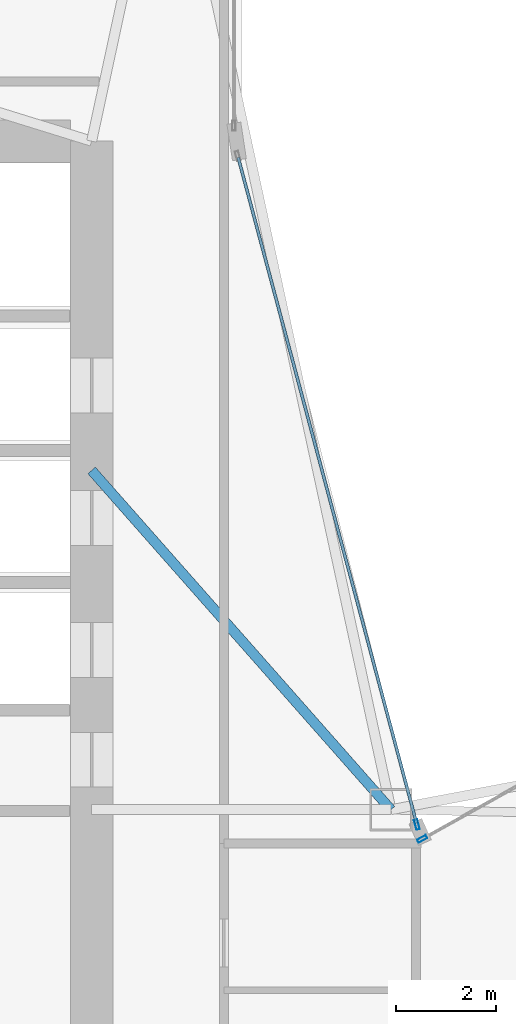
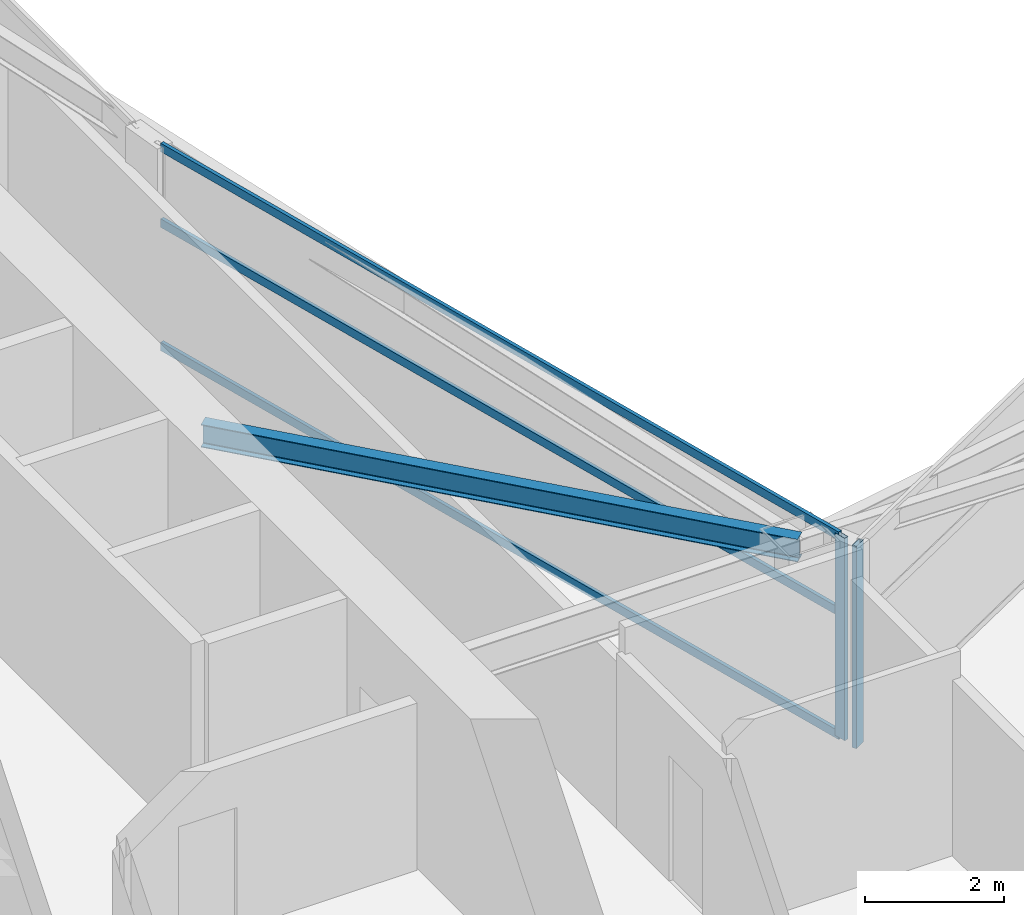
# One storey, part 10 of 29: 5 members, 1 beam, 2 elements without a shape of their own.
"""IFC4 building model written with IfcOpenShell, lengths in metres."""

from ifc_helpers import new_model, si_unit, direction, frame, origin, origin_2d, place, context, subcontext, project, spatial, hollow_rectangle, i_section, extrude, material, layer, layer_set, material_profile, profile_set, type_object, element, aggregate, save


model = new_model("IFC4")

# Units and contexts
model_context = context("Model", 3, precision=1e-05, world=origin(), true_north=direction((0.0, 1.0)))
body_context = subcontext(model_context, "Body", "Model", "MODEL_VIEW")
ifc_project = project(units=[si_unit("LENGTHUNIT", "METRE"), si_unit("AREAUNIT", "SQUARE_METRE"), si_unit("VOLUMEUNIT", "CUBIC_METRE"), si_unit("PLANEANGLEUNIT", "RADIAN"), si_unit("MASSUNIT", "GRAM", prefix="KILO")], contexts=[model_context])

# Site, building, storey
site_placement = place(None, origin())
site = spatial("IfcSite", under=ifc_project, at=site_placement, CompositionType="ELEMENT")
building_placement = place(site_placement, origin())
building = spatial("IfcBuilding", under=site, at=building_placement, Name="Calvorn Quay Hotel", CompositionType="ELEMENT")
storey_placement = place(building_placement, frame((0.0, 0.0, 175.10009765625)))
storey = spatial("IfcBuildingStorey", under=building, at=storey_placement, Name="L43", CompositionType="ELEMENT", Elevation=175.10009765625)

# Beam
ifc_material_1 = material(Name="Steel Q355B", Category="steel")
ifc_material_profile_1 = material_profile(ifc_material_1, i_section(OverallWidth=0.199951171875, OverallDepth=0.39990234375, WebThickness=0.008056640625, FlangeThickness=0.012939453125, FilletRadius=0.01611328125, at=origin_2d()), Name="HN400x200x8x13")
ifc_profile_set_1 = profile_set([ifc_material_profile_1], Name="Steel Q355B")
beam_type = type_object("IfcBeamType", Name="BM-JOIST-TYP", PredefinedType="JOIST", material=ifc_profile_set_1)
beam_placement = place(storey_placement, frame((15.0, 31.800048828125, 3.33984375), z_axis=(0.661618965899, -0.749840212287, 0.0), x_axis=(0.749840212287, 0.661618965899, 0.0)))
element("IfcBeam", 1, at=beam_placement, inside=storey, type_object=beam_type, Name="Beam BJ-L43-C1", PredefinedType="JOIST", context=body_context, shape_type="SweptSolid", body=[
    extrude(i_section(OverallWidth=0.199951171875, OverallDepth=0.39990234375, WebThickness=0.008056640625, FlangeThickness=0.012939453125, FilletRadius=0.01611328125, at=origin_2d()), origin(), (0.0, 0.0, 1.0), 9.068603515625),
])

# Curtain wall, member
ifc_material_2 = material(Name="Pale Anodised Aluminium and Low-E Glass", Category="aluminium")
ifc_layer = layer(ifc_material_2, 0.219970703125)
ifc_layer_set = layer_set([ifc_layer], Name="CW-SYS-Z2")
curtain_wall_type = type_object("IfcCurtainWallType", Name="CW-SYS-Z2", PredefinedType="NOTDEFINED", material=ifc_layer_set)
curtain_wall_1_placement = place(storey_placement, origin())
curtain_wall_1 = element("IfcCurtainWall", 2, at=curtain_wall_1_placement, inside=storey, type_object=curtain_wall_type, Name="Inner Court Curtain Wall L43-NE1", PredefinedType="NOTDEFINED")
ifc_material_3 = material(Name="Pale Anodised Aluminium 6063-T6", Category="aluminium")
ifc_material_profile_2 = material_profile(ifc_material_3, hollow_rectangle(XDim=0.070068359375, YDim=0.199951171875, WallThickness=0.00390625, at=origin_2d()), Name="ALU-M200x70x4")
ifc_profile_set_2 = profile_set([ifc_material_profile_2], Name="Pale Anodised Aluminium 6063-T6")
member_type_1 = type_object("IfcMemberType", Name="CW-SYS-Z2-MUL", PredefinedType="MULLION", material=ifc_profile_set_2)
member_1_placement = place(storey_placement, frame((21.626220703125, 24.41455078125, 0.0), z_axis=(0.0, 0.0, 1.0), x_axis=(0.486858256224, -0.873480989116, 0.0)))
member_1 = element("IfcMember", 3, at=member_1_placement, type_object=member_type_1, Name="CW-L43-NE1 mullion 4", PredefinedType="MULLION", context=body_context, shape_type="SweptSolid", body=[
    extrude(hollow_rectangle(XDim=0.070068359375, YDim=0.199951171875, WallThickness=0.00390625, at=origin_2d()), origin(), (0.0, 0.0, 1.0), 3.559814453125),
])
aggregate(curtain_wall_1, [member_1])

# Curtain wall, members
curtain_wall_2_placement = place(storey_placement, origin())
curtain_wall_2 = element("IfcCurtainWall", 4, at=curtain_wall_2_placement, inside=storey, type_object=curtain_wall_type, Name="Inner Court Curtain Wall L43-IC1", PredefinedType="NOTDEFINED")
member_2_placement = place(storey_placement, frame((21.520263671875, 24.698974609375, 0.0), z_axis=(0.0, 0.0, 1.0), x_axis=(-0.96593652056, -0.25877913024, 0.0)))
member_2 = element("IfcMember", 5, at=member_2_placement, type_object=member_type_1, Name="CW-L43-IC1 mullion 1", PredefinedType="MULLION", context=body_context, shape_type="SweptSolid", body=[
    extrude(hollow_rectangle(XDim=0.070068359375, YDim=0.199951171875, WallThickness=0.00390625, at=origin_2d()), origin(), (0.0, 0.0, 1.0), 3.559814453125),
])
ifc_material_4 = material(Name="Pale Anodised Aluminium 6063-T6", Category="aluminium")
ifc_material_profile_3 = material_profile(ifc_material_4, hollow_rectangle(XDim=0.06005859375, YDim=0.14990234375, WallThickness=0.00341796875, at=origin_2d()), Name="ALU-T150x60x3.5")
ifc_profile_set_3 = profile_set([ifc_material_profile_3], Name="Pale Anodised Aluminium 6063-T6")
member_type_2 = type_object("IfcMemberType", Name="CW-SYS-Z2-TRN", PredefinedType="USERDEFINED", material=ifc_profile_set_3)
member_3_placement = place(storey_placement, frame((21.512451171875, 24.72802734375, 0.02978515625), z_axis=(-0.258781136883, 0.965935982969, 0.0), x_axis=(-0.965935982969, -0.258781136883, 0.0)))
member_3 = element("IfcMember", 6, at=member_3_placement, type_object=member_type_2, Name="CW-L43-IC1 transom 1.1", ObjectType="TRANSOM", PredefinedType="USERDEFINED", context=body_context, shape_type="SweptSolid", body=[
    extrude(hollow_rectangle(XDim=0.06005859375, YDim=0.14990234375, WallThickness=0.00341796875, at=origin_2d()), origin(), (0.0, 0.0, 1.0), 13.814453125),
])
member_4_placement = place(storey_placement, frame((21.512451171875, 24.72802734375, 2.199951171875), z_axis=(-0.258781136883, 0.965935982969, 0.0), x_axis=(-0.965935982969, -0.258781136883, 0.0)))
member_4 = element("IfcMember", 7, at=member_4_placement, type_object=member_type_2, Name="CW-L43-IC1 transom 1.2", ObjectType="TRANSOM", PredefinedType="USERDEFINED", context=body_context, shape_type="SweptSolid", body=[
    extrude(hollow_rectangle(XDim=0.06005859375, YDim=0.14990234375, WallThickness=0.00341796875, at=origin_2d()), origin(), (0.0, 0.0, 1.0), 13.814453125),
])
member_5_placement = place(storey_placement, frame((21.512451171875, 24.72802734375, 3.52978515625), z_axis=(-0.258781136883, 0.965935982969, 0.0), x_axis=(-0.965935982969, -0.258781136883, 0.0)))
member_5 = element("IfcMember", 8, at=member_5_placement, type_object=member_type_2, Name="CW-L43-IC1 transom 1.3", ObjectType="TRANSOM", PredefinedType="USERDEFINED", context=body_context, shape_type="SweptSolid", body=[
    extrude(hollow_rectangle(XDim=0.06005859375, YDim=0.14990234375, WallThickness=0.00341796875, at=origin_2d()), origin(), (0.0, 0.0, 1.0), 13.814453125),
])
aggregate(curtain_wall_2, [member_2, member_3, member_4, member_5])

save(model, "model.ifc")
